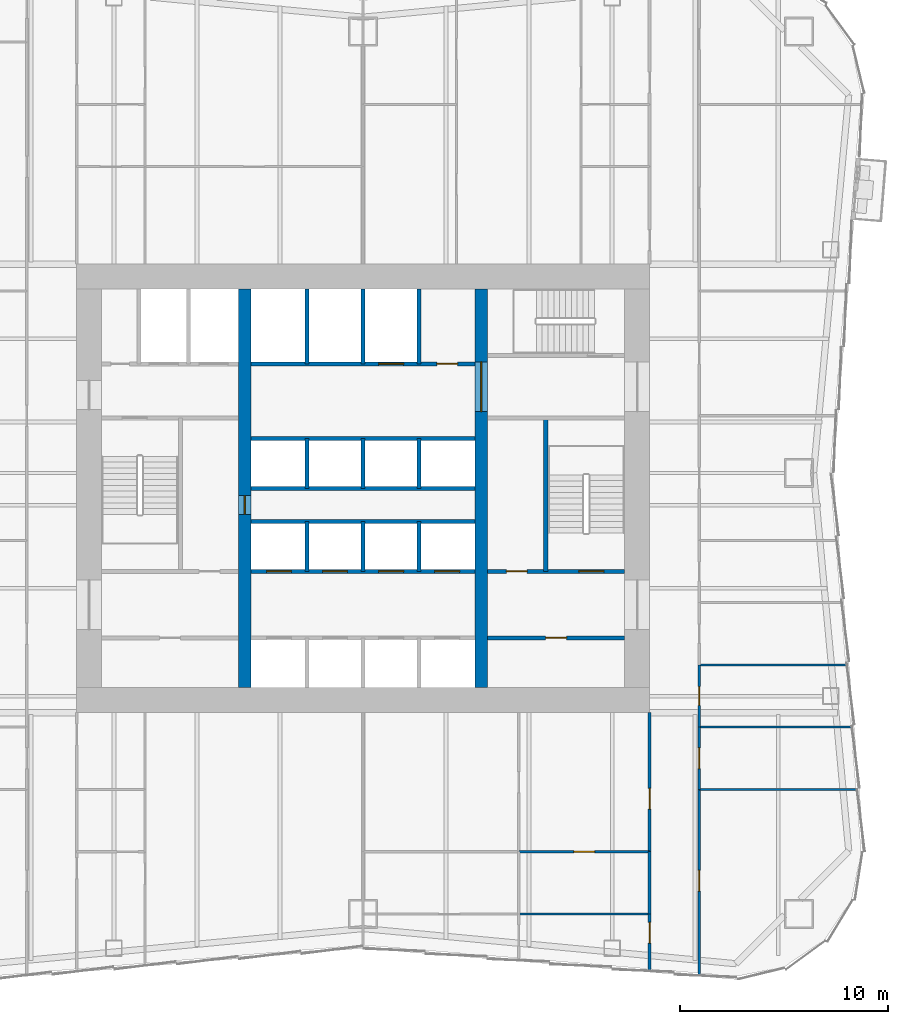
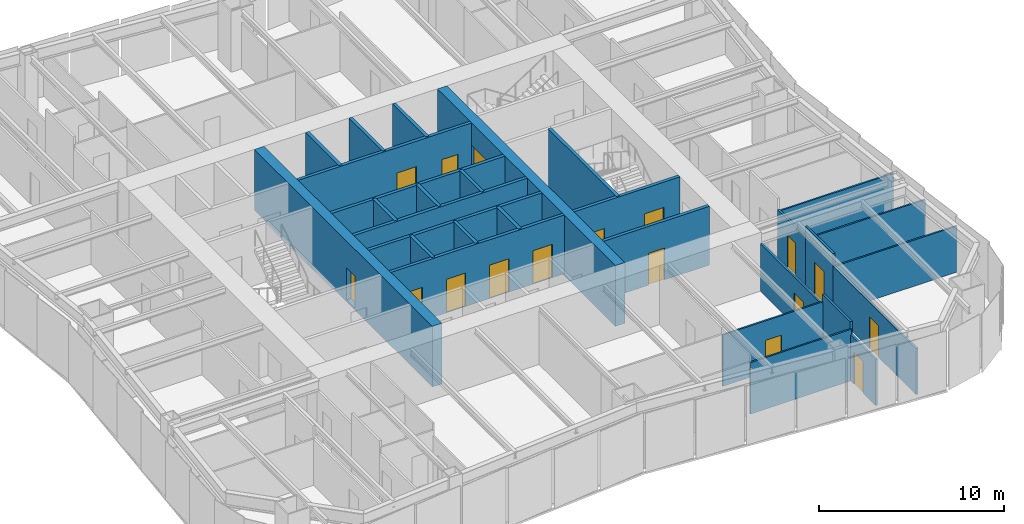
# One storey, part 5 of 9: 30 walls, 17 doors, 17 openings.
"""IFC4 building model written with IfcOpenShell, lengths in metres."""

from ifc_helpers import new_model, si_unit, direction, frame, frame_2d, origin, place, context, subcontext, project, spatial, rectangle, extrude, material, layer, layer_set, type_object, element, fill, save


model = new_model("IFC4")

# Units and contexts
model_context = context("Model", 3, precision=1e-05, world=origin(), true_north=direction((0.0, 1.0)))
body_context = subcontext(model_context, "Body", "Model", "MODEL_VIEW")
ifc_project = project(units=[si_unit("LENGTHUNIT", "METRE"), si_unit("AREAUNIT", "SQUARE_METRE"), si_unit("VOLUMEUNIT", "CUBIC_METRE"), si_unit("PLANEANGLEUNIT", "RADIAN"), si_unit("MASSUNIT", "GRAM", prefix="KILO")], contexts=[model_context])

# Site, building, storey
site_placement = place(None, origin())
site = spatial("IfcSite", under=ifc_project, at=site_placement, CompositionType="ELEMENT")
building_placement = place(site_placement, origin())
building = spatial("IfcBuilding", under=site, at=building_placement, Name="Verdant Reach Tower", CompositionType="ELEMENT")
storey_placement = place(building_placement, frame((0.0, 0.0, 86.0)))
storey = spatial("IfcBuildingStorey", under=building, at=storey_placement, Name="L19", CompositionType="ELEMENT", Elevation=86.0)

# Wall, opening, door
ifc_material_1 = material(Name="Gypsum board on steel studs", Category="steel")
ifc_layer_1 = layer(ifc_material_1, 0.199951171875)
ifc_layer_set_1 = layer_set([ifc_layer_1], Name="CO-WALL-ROOM")
wall_type_1 = type_object("IfcWallType", Name="CO-WALL-ROOM", PredefinedType="PARTITIONING", material=ifc_layer_set_1)
wall_1_placement = place(storey_placement, frame((6.0, 20.800048828125, 0.0), z_axis=(0.0, 0.0, 1.0), x_axis=(1.0, 0.0, 0.0)))
wall_1 = element("IfcWall", 1, at=wall_1_placement, inside=storey, type_object=wall_type_1, Name="Core partition, L19", PredefinedType="PARTITIONING", context=body_context, shape_type="SweptSolid", body=[
    extrude(rectangle(XDim=6.60009765625, YDim=0.199951171875, at=frame_2d((3.300048828125, 0.0))), origin(), (0.0, 0.0, 1.0), 3.8701171875),
])
opening_1_placement = place(wall_1_placement, frame((2.800048828125, 0.0, 0.0)))
opening_1 = element("IfcOpeningElement", 2, at=opening_1_placement, cuts=wall_1, Name="Opening CD", PredefinedType="OPENING", context=body_context, shape_type="SweptSolid", body=[
    extrude(rectangle(XDim=1.0, YDim=2.10009765625, at=frame_2d((0.5, 1.050048828125))), frame((0.0, 0.10986328125, 0.0), z_axis=(0.0, -1.0, 0.0), x_axis=(1.0, 0.0, 0.0)), (0.0, 0.0, 1.0), 0.219970703125),
])
ifc_material_2 = material(Name="Timber", Category="wood")
door_type_1 = type_object("IfcDoorType", Name="CO-DOOR-ROOM", OperationType="NOTDEFINED", PredefinedType="DOOR", material=ifc_material_2)
door_1_placement = place(opening_1_placement, origin())
door_1 = element("IfcDoor", 3, at=door_1_placement, inside=storey, type_object=door_type_1, Name="Core room door, L19", OperationType="SINGLE_SWING_RIGHT", OverallHeight=2.10009765625, OverallWidth=1.0, PredefinedType="DOOR", context=body_context, shape_type="SweptSolid", body=[
    extrude(rectangle(XDim=1.0, YDim=2.10009765625, at=frame_2d((0.5, 1.050048828125))), frame((0.0, 0.02490234375, 0.0), z_axis=(0.0, -1.0, 0.0), x_axis=(1.0, 0.0, 0.0)), (0.0, 0.0, 1.0), 0.050048828125),
])
fill(opening_1, door_1)

# Wall, openings, doors
ifc_material_3 = material(Name="Concrete C40/50", Category="concrete")
ifc_layer_2 = layer(ifc_material_3, 0.199951171875)
ifc_layer_set_2 = layer_set([ifc_layer_2], Name="CO-WALL-SHAFT")
wall_type_2 = type_object("IfcWallType", Name="CO-WALL-SHAFT", PredefinedType="PARTITIONING", material=ifc_layer_set_2)
wall_2_placement = place(storey_placement, frame((-5.39990234375, 24.0, 0.0), z_axis=(0.0, 0.0, 1.0), x_axis=(1.0, 0.0, 0.0)))
wall_2 = element("IfcWall", 4, at=wall_2_placement, inside=storey, type_object=wall_type_2, Name="Lift shaft wall, L19", PredefinedType="PARTITIONING", context=body_context, shape_type="SweptSolid", body=[
    extrude(rectangle(XDim=10.7998046875, YDim=0.199951171875, at=frame_2d((5.39990234375, 0.0))), origin(), (0.0, 0.0, 1.0), 3.8701171875),
])
opening_2_placement = place(wall_2_placement, frame((0.75, 0.0, 0.0)))
opening_2 = element("IfcOpeningElement", 5, at=opening_2_placement, cuts=wall_2, Name="Opening LD-A5", PredefinedType="OPENING", context=body_context, shape_type="SweptSolid", body=[
    extrude(rectangle(XDim=1.199951171875, YDim=2.199951171875, at=frame_2d((0.60009765625, 1.10009765625))), frame((0.0, 0.10986328125, 0.0), z_axis=(0.0, -1.0, 0.0), x_axis=(1.0, 0.0, 0.0)), (0.0, 0.0, 1.0), 0.219970703125),
])
opening_3_placement = place(wall_2_placement, frame((3.449951171875, 0.0, 0.0)))
opening_3 = element("IfcOpeningElement", 6, at=opening_3_placement, cuts=wall_2, Name="Opening LD-A6", PredefinedType="OPENING", context=body_context, shape_type="SweptSolid", body=[
    extrude(rectangle(XDim=1.199951171875, YDim=2.199951171875, at=frame_2d((0.60009765625, 1.10009765625))), frame((0.0, 0.10986328125, 0.0), z_axis=(0.0, -1.0, 0.0), x_axis=(1.0, 0.0, 0.0)), (0.0, 0.0, 1.0), 0.219970703125),
])
opening_4_placement = place(wall_2_placement, frame((6.14990234375, 0.0, 0.0)))
opening_4 = element("IfcOpeningElement", 7, at=opening_4_placement, cuts=wall_2, Name="Opening LD-A7", PredefinedType="OPENING", context=body_context, shape_type="SweptSolid", body=[
    extrude(rectangle(XDim=1.199951171875, YDim=2.199951171875, at=frame_2d((0.60009765625, 1.10009765625))), frame((0.0, 0.10986328125, 0.0), z_axis=(0.0, -1.0, 0.0), x_axis=(1.0, 0.0, 0.0)), (0.0, 0.0, 1.0), 0.219970703125),
])
opening_5_placement = place(wall_2_placement, frame((8.85009765625, 0.0, 0.0)))
opening_5 = element("IfcOpeningElement", 8, at=opening_5_placement, cuts=wall_2, Name="Opening LD-A8", PredefinedType="OPENING", context=body_context, shape_type="SweptSolid", body=[
    extrude(rectangle(XDim=1.199951171875, YDim=2.199951171875, at=frame_2d((0.60009765625, 1.10009765625))), frame((0.0, 0.10986328125, 0.0), z_axis=(0.0, -1.0, 0.0), x_axis=(1.0, 0.0, 0.0)), (0.0, 0.0, 1.0), 0.219970703125),
])
ifc_material_4 = material(Name="Stainless steel", Category="steel")
door_type_2 = type_object("IfcDoorType", Name="CO-DOOR-LANDING", OperationType="SLIDING_TO_LEFT", PredefinedType="DOOR", material=ifc_material_4)
door_2_placement = place(opening_2_placement, origin())
door_2 = element("IfcDoor", 9, at=door_2_placement, inside=storey, type_object=door_type_2, Name="Landing door A5, L19", OperationType="SLIDING_TO_LEFT", OverallHeight=2.199951171875, OverallWidth=1.199951171875, PredefinedType="DOOR", context=body_context, shape_type="SweptSolid", body=[
    extrude(rectangle(XDim=1.199951171875, YDim=2.199951171875, at=frame_2d((0.60009765625, 1.10009765625))), frame((0.0, 0.02490234375, 0.0), z_axis=(0.0, -1.0, 0.0), x_axis=(1.0, 0.0, 0.0)), (0.0, 0.0, 1.0), 0.050048828125),
])
fill(opening_2, door_2)
door_3_placement = place(opening_3_placement, origin())
door_3 = element("IfcDoor", 10, at=door_3_placement, inside=storey, type_object=door_type_2, Name="Landing door A6, L19", OperationType="SLIDING_TO_LEFT", OverallHeight=2.199951171875, OverallWidth=1.199951171875, PredefinedType="DOOR", context=body_context, shape_type="SweptSolid", body=[
    extrude(rectangle(XDim=1.199951171875, YDim=2.199951171875, at=frame_2d((0.60009765625, 1.10009765625))), frame((0.0, 0.02490234375, 0.0), z_axis=(0.0, -1.0, 0.0), x_axis=(1.0, 0.0, 0.0)), (0.0, 0.0, 1.0), 0.050048828125),
])
fill(opening_3, door_3)
door_4_placement = place(opening_4_placement, origin())
door_4 = element("IfcDoor", 11, at=door_4_placement, inside=storey, type_object=door_type_2, Name="Landing door A7, L19", OperationType="SLIDING_TO_LEFT", OverallHeight=2.199951171875, OverallWidth=1.199951171875, PredefinedType="DOOR", context=body_context, shape_type="SweptSolid", body=[
    extrude(rectangle(XDim=1.199951171875, YDim=2.199951171875, at=frame_2d((0.60009765625, 1.10009765625))), frame((0.0, 0.02490234375, 0.0), z_axis=(0.0, -1.0, 0.0), x_axis=(1.0, 0.0, 0.0)), (0.0, 0.0, 1.0), 0.050048828125),
])
fill(opening_4, door_4)
door_5_placement = place(opening_5_placement, origin())
door_5 = element("IfcDoor", 12, at=door_5_placement, inside=storey, type_object=door_type_2, Name="Landing door A8, L19", OperationType="SLIDING_TO_LEFT", OverallHeight=2.199951171875, OverallWidth=1.199951171875, PredefinedType="DOOR", context=body_context, shape_type="SweptSolid", body=[
    extrude(rectangle(XDim=1.199951171875, YDim=2.199951171875, at=frame_2d((0.60009765625, 1.10009765625))), frame((0.0, 0.02490234375, 0.0), z_axis=(0.0, -1.0, 0.0), x_axis=(1.0, 0.0, 0.0)), (0.0, 0.0, 1.0), 0.050048828125),
])
fill(opening_5, door_5)

# Walls
for number, where, z_axis, x_axis, name in (
    (13, (-5.39990234375, 26.39990234375, 0.0), (0.0, 0.0, 1.0), (1.0, 0.0, 0.0), "Lift shaft wall, L19"),
    (14, (-5.39990234375, 28.0, 0.0), (0.0, 0.0, 1.0), (1.0, 0.0, 0.0), "Lift shaft wall, L19"),
    (15, (-5.39990234375, 30.39990234375, 0.0), (0.0, 0.0, 1.0), (1.0, 0.0, 0.0), "Lift shaft wall, L19"),
):
    element("IfcWall", number, at=place(storey_placement, frame(where, z_axis=z_axis, x_axis=x_axis)), inside=storey, type_object=wall_type_2, Name=name, PredefinedType="PARTITIONING", context=body_context, shape_type="SweptSolid", body=[
        extrude(rectangle(XDim=10.7998046875, YDim=0.199951171875, at=frame_2d((5.39990234375, 0.0))), origin(), (0.0, 0.0, 1.0), 3.8701171875),
    ])

# Wall, openings, doors
wall_3_placement = place(storey_placement, frame((-5.39990234375, 34.0, 0.0), z_axis=(0.0, 0.0, 1.0), x_axis=(1.0, 0.0, 0.0)))
wall_3 = element("IfcWall", 16, at=wall_3_placement, inside=storey, type_object=wall_type_2, Name="Lift shaft wall, L19", PredefinedType="PARTITIONING", context=body_context, shape_type="SweptSolid", body=[
    extrude(rectangle(XDim=10.7998046875, YDim=0.199951171875, at=frame_2d((5.39990234375, 0.0))), origin(), (0.0, 0.0, 1.0), 3.8701171875),
])
opening_6_placement = place(wall_3_placement, frame((6.14990234375, 0.0, 0.0)))
opening_6 = element("IfcOpeningElement", 17, at=opening_6_placement, cuts=wall_3, Name="Opening LD-SL1", PredefinedType="OPENING", context=body_context, shape_type="SweptSolid", body=[
    extrude(rectangle(XDim=1.199951171875, YDim=2.199951171875, at=frame_2d((0.60009765625, 1.10009765625))), frame((0.0, 0.10986328125, 0.0), z_axis=(0.0, -1.0, 0.0), x_axis=(1.0, 0.0, 0.0)), (0.0, 0.0, 1.0), 0.219970703125),
])
opening_7_placement = place(wall_3_placement, frame((8.949951171875, 0.0, 0.0)))
opening_7 = element("IfcOpeningElement", 18, at=opening_7_placement, cuts=wall_3, Name="Opening CD", PredefinedType="OPENING", context=body_context, shape_type="SweptSolid", body=[
    extrude(rectangle(XDim=1.0, YDim=2.10009765625, at=frame_2d((0.5, 1.050048828125))), frame((0.0, 0.10986328125, 0.0), z_axis=(0.0, -1.0, 0.0), x_axis=(1.0, 0.0, 0.0)), (0.0, 0.0, 1.0), 0.219970703125),
])
door_6_placement = place(opening_6_placement, origin())
door_6 = element("IfcDoor", 19, at=door_6_placement, inside=storey, type_object=door_type_2, Name="Landing door SL1, L19", OperationType="SLIDING_TO_LEFT", OverallHeight=2.199951171875, OverallWidth=1.199951171875, PredefinedType="DOOR", context=body_context, shape_type="SweptSolid", body=[
    extrude(rectangle(XDim=1.199951171875, YDim=2.199951171875, at=frame_2d((0.60009765625, 1.10009765625))), frame((0.0, 0.02490234375, 0.0), z_axis=(0.0, -1.0, 0.0), x_axis=(1.0, 0.0, 0.0)), (0.0, 0.0, 1.0), 0.050048828125),
])
fill(opening_6, door_6)
door_7_placement = place(opening_7_placement, origin())
door_7 = element("IfcDoor", 20, at=door_7_placement, inside=storey, type_object=door_type_1, Name="Core room door, L19", OperationType="SINGLE_SWING_LEFT", OverallHeight=2.10009765625, OverallWidth=1.0, PredefinedType="DOOR", context=body_context, shape_type="SweptSolid", body=[
    extrude(rectangle(XDim=1.0, YDim=2.10009765625, at=frame_2d((0.5, 1.050048828125))), frame((0.0, 0.02490234375, 0.0), z_axis=(0.0, -1.0, 0.0), x_axis=(1.0, 0.0, 0.0)), (0.0, 0.0, 1.0), 0.050048828125),
])
fill(opening_7, door_7)

# Walls
for number, where, z_axis, x_axis, name in (
    (21, (-2.699951171875, 24.0, 0.0), (0.0, 0.0, 1.0), (0.0, 1.0, 0.0), "Lift shaft wall, L19"),
    (22, (-2.699951171875, 28.0, 0.0), (0.0, 0.0, 1.0), (0.0, 1.0, 0.0), "Lift shaft wall, L19"),
):
    element("IfcWall", number, at=place(storey_placement, frame(where, z_axis=z_axis, x_axis=x_axis)), inside=storey, type_object=wall_type_2, Name=name, PredefinedType="PARTITIONING", context=body_context, shape_type="SweptSolid", body=[
        extrude(rectangle(XDim=2.39990234375, YDim=0.199951171875, at=frame_2d((1.199951171875, 0.0))), origin(), (0.0, 0.0, 1.0), 3.8701171875),
    ])
wall_4_placement = place(storey_placement, frame((-2.699951171875, 34.0, 0.0), z_axis=(0.0, 0.0, 1.0), x_axis=(0.0, 1.0, 0.0)))
element("IfcWall", 23, at=wall_4_placement, inside=storey, type_object=wall_type_2, Name="Lift shaft wall, L19", PredefinedType="PARTITIONING", context=body_context, shape_type="SweptSolid", body=[
    extrude(rectangle(XDim=3.60009765625, YDim=0.199951171875, at=frame_2d((1.800048828125, 0.0))), origin(), (0.0, 0.0, 1.0), 3.8701171875),
])
for number, where, z_axis, x_axis, name in (
    (24, (0.0, 24.0, 0.0), (0.0, 0.0, 1.0), (0.0, 1.0, 0.0), "Lift shaft wall, L19"),
    (25, (0.0, 28.0, 0.0), (0.0, 0.0, 1.0), (0.0, 1.0, 0.0), "Lift shaft wall, L19"),
):
    element("IfcWall", number, at=place(storey_placement, frame(where, z_axis=z_axis, x_axis=x_axis)), inside=storey, type_object=wall_type_2, Name=name, PredefinedType="PARTITIONING", context=body_context, shape_type="SweptSolid", body=[
        extrude(rectangle(XDim=2.39990234375, YDim=0.199951171875, at=frame_2d((1.199951171875, 0.0))), origin(), (0.0, 0.0, 1.0), 3.8701171875),
    ])
wall_5_placement = place(storey_placement, frame((0.0, 34.0, 0.0), z_axis=(0.0, 0.0, 1.0), x_axis=(0.0, 1.0, 0.0)))
element("IfcWall", 26, at=wall_5_placement, inside=storey, type_object=wall_type_2, Name="Lift shaft wall, L19", PredefinedType="PARTITIONING", context=body_context, shape_type="SweptSolid", body=[
    extrude(rectangle(XDim=3.60009765625, YDim=0.199951171875, at=frame_2d((1.800048828125, 0.0))), origin(), (0.0, 0.0, 1.0), 3.8701171875),
])
for number, where, z_axis, x_axis, name in (
    (27, (2.699951171875, 24.0, 0.0), (0.0, 0.0, 1.0), (0.0, 1.0, 0.0), "Lift shaft wall, L19"),
    (28, (2.699951171875, 28.0, 0.0), (0.0, 0.0, 1.0), (0.0, 1.0, 0.0), "Lift shaft wall, L19"),
):
    element("IfcWall", number, at=place(storey_placement, frame(where, z_axis=z_axis, x_axis=x_axis)), inside=storey, type_object=wall_type_2, Name=name, PredefinedType="PARTITIONING", context=body_context, shape_type="SweptSolid", body=[
        extrude(rectangle(XDim=2.39990234375, YDim=0.199951171875, at=frame_2d((1.199951171875, 0.0))), origin(), (0.0, 0.0, 1.0), 3.8701171875),
    ])
wall_6_placement = place(storey_placement, frame((2.699951171875, 34.0, 0.0), z_axis=(0.0, 0.0, 1.0), x_axis=(0.0, 1.0, 0.0)))
element("IfcWall", 29, at=wall_6_placement, inside=storey, type_object=wall_type_2, Name="Lift shaft wall, L19", PredefinedType="PARTITIONING", context=body_context, shape_type="SweptSolid", body=[
    extrude(rectangle(XDim=3.60009765625, YDim=0.199951171875, at=frame_2d((1.800048828125, 0.0))), origin(), (0.0, 0.0, 1.0), 3.8701171875),
])

# Wall, openings, doors
ifc_layer_3 = layer(ifc_material_3, 0.199951171875)
ifc_layer_set_3 = layer_set([ifc_layer_3], Name="CO-WALL-STAIR")
wall_type_3 = type_object("IfcWallType", Name="CO-WALL-STAIR", PredefinedType="PARTITIONING", material=ifc_layer_set_3)
wall_7_placement = place(storey_placement, frame((6.0, 24.0, 0.0), z_axis=(0.0, 0.0, 1.0), x_axis=(1.0, 0.0, 0.0)))
wall_7 = element("IfcWall", 30, at=wall_7_placement, inside=storey, type_object=wall_type_3, Name="Stair enclosure wall, L19", PredefinedType="PARTITIONING", context=body_context, shape_type="SweptSolid", body=[
    extrude(rectangle(XDim=6.60009765625, YDim=0.199951171875, at=frame_2d((3.300048828125, 0.0))), origin(), (0.0, 0.0, 1.0), 3.8701171875),
])
opening_8_placement = place(wall_7_placement, frame((0.89990234375, 0.0, 0.0)))
opening_8 = element("IfcOpeningElement", 31, at=opening_8_placement, cuts=wall_7, Name="Opening CD", PredefinedType="OPENING", context=body_context, shape_type="SweptSolid", body=[
    extrude(rectangle(XDim=1.0, YDim=2.10009765625, at=frame_2d((0.5, 1.050048828125))), frame((0.0, 0.10986328125, 0.0), z_axis=(0.0, -1.0, 0.0), x_axis=(1.0, 0.0, 0.0)), (0.0, 0.0, 1.0), 0.219970703125),
])
opening_9_placement = place(wall_7_placement, frame((4.39990234375, 0.0, 0.0)))
opening_9 = element("IfcOpeningElement", 32, at=opening_9_placement, cuts=wall_7, Name="Opening SD", PredefinedType="OPENING", context=body_context, shape_type="SweptSolid", body=[
    extrude(rectangle(XDim=1.199951171875, YDim=2.199951171875, at=frame_2d((0.60009765625, 1.10009765625))), frame((0.0, 0.10986328125, 0.0), z_axis=(0.0, -1.0, 0.0), x_axis=(1.0, 0.0, 0.0)), (0.0, 0.0, 1.0), 0.219970703125),
])
door_8_placement = place(opening_8_placement, origin())
door_8 = element("IfcDoor", 33, at=door_8_placement, inside=storey, type_object=door_type_1, Name="Core room door, L19", OperationType="SINGLE_SWING_LEFT", OverallHeight=2.10009765625, OverallWidth=1.0, PredefinedType="DOOR", context=body_context, shape_type="SweptSolid", body=[
    extrude(rectangle(XDim=1.0, YDim=2.10009765625, at=frame_2d((0.5, 1.050048828125))), frame((0.0, 0.02490234375, 0.0), z_axis=(0.0, -1.0, 0.0), x_axis=(1.0, 0.0, 0.0)), (0.0, 0.0, 1.0), 0.050048828125),
])
fill(opening_8, door_8)
ifc_material_5 = material(Name="Steel", Category="steel")
door_type_3 = type_object("IfcDoorType", Name="CO-DOOR-STAIR", OperationType="NOTDEFINED", PredefinedType="DOOR", material=ifc_material_5)
door_9_placement = place(opening_9_placement, origin())
door_9 = element("IfcDoor", 34, at=door_9_placement, inside=storey, type_object=door_type_3, Name="Stair door, L19", OperationType="SINGLE_SWING_LEFT", OverallHeight=2.199951171875, OverallWidth=1.199951171875, PredefinedType="DOOR", context=body_context, shape_type="SweptSolid", body=[
    extrude(rectangle(XDim=1.199951171875, YDim=2.199951171875, at=frame_2d((0.60009765625, 1.10009765625))), frame((0.0, 0.02490234375, 0.0), z_axis=(0.0, -1.0, 0.0), x_axis=(1.0, 0.0, 0.0)), (0.0, 0.0, 1.0), 0.050048828125),
])
fill(opening_9, door_9)

# Walls
wall_8_placement = place(storey_placement, frame((8.800048828125, 24.0, 0.0), z_axis=(0.0, 0.0, 1.0), x_axis=(0.0, 1.0, 0.0)))
element("IfcWall", 35, at=wall_8_placement, inside=storey, type_object=wall_type_3, Name="Stair enclosure wall, L19", PredefinedType="PARTITIONING", context=body_context, shape_type="SweptSolid", body=[
    extrude(rectangle(XDim=7.39990234375, YDim=0.199951171875, at=frame_2d((3.699951171875, 0.0))), origin(), (0.0, 0.0, 1.0), 3.8701171875),
])
ifc_layer_4 = layer(ifc_material_1, 0.10009765625)
ifc_layer_set_4 = layer_set([ifc_layer_4], Name="FL-W1 Partition 100")
wall_type_4 = type_object("IfcWallType", Name="FL-W1 Partition 100", PredefinedType="PARTITIONING", material=ifc_layer_set_4)
wall_9_placement = place(storey_placement, frame((23.83349609375, 13.5, 0.0), z_axis=(0.0, 0.0, 1.0), x_axis=(-1.0, 0.0, 0.0)))
element("IfcWall", 36, at=wall_9_placement, inside=storey, type_object=wall_type_4, Name="Partition 19.33", PredefinedType="PARTITIONING", context=body_context, shape_type="SweptSolid", body=[
    extrude(rectangle(XDim=7.633544921875, YDim=0.10009765625, at=frame_2d((3.81689453125, 0.0))), origin(), (0.0, 0.0, 1.0), 3.0400390625),
])
wall_10_placement = place(storey_placement, frame((23.5869140625, 16.5, 0.0), z_axis=(0.0, 0.0, 1.0), x_axis=(-1.0, 0.0, 0.0)))
element("IfcWall", 37, at=wall_10_placement, inside=storey, type_object=wall_type_4, Name="Partition 19.34", PredefinedType="PARTITIONING", context=body_context, shape_type="SweptSolid", body=[
    extrude(rectangle(XDim=7.386962890625, YDim=0.10009765625, at=frame_2d((3.693359375, 0.0))), origin(), (0.0, 0.0, 1.0), 3.0400390625),
])
wall_11_placement = place(storey_placement, frame((23.34033203125, 19.5, 0.0), z_axis=(0.0, 0.0, 1.0), x_axis=(-1.0, 0.0, 0.0)))
element("IfcWall", 38, at=wall_11_placement, inside=storey, type_object=wall_type_4, Name="Partition 19.35", PredefinedType="PARTITIONING", context=body_context, shape_type="SweptSolid", body=[
    extrude(rectangle(XDim=7.140380859375, YDim=0.10009765625, at=frame_2d((3.5703125, 0.0))), origin(), (0.0, 0.0, 1.0), 3.0400390625),
])
wall_12_placement = place(storey_placement, frame((13.800048828125, 7.5, 0.0), z_axis=(0.0, 0.0, 1.0), x_axis=(-1.0, 0.0, 0.0)))
element("IfcWall", 39, at=wall_12_placement, inside=storey, type_object=wall_type_4, Name="Partition 19.49", PredefinedType="PARTITIONING", context=body_context, shape_type="SweptSolid", body=[
    extrude(rectangle(XDim=6.300048828125, YDim=0.10009765625, at=frame_2d((3.14990234375, 0.0))), origin(), (0.0, 0.0, 1.0), 3.389892578125),
])

# Wall, opening, door
wall_13_placement = place(storey_placement, frame((13.800048828125, 10.5, 0.0), z_axis=(0.0, 0.0, 1.0), x_axis=(-1.0, 0.0, 0.0)))
wall_13 = element("IfcWall", 40, at=wall_13_placement, inside=storey, type_object=wall_type_4, Name="Partition 19.51", PredefinedType="PARTITIONING", context=body_context, shape_type="SweptSolid", body=[
    extrude(rectangle(XDim=6.300048828125, YDim=0.10009765625, at=frame_2d((3.14990234375, 0.0))), origin(), (0.0, 0.0, 1.0), 3.389892578125),
])
opening_10_placement = place(wall_13_placement, frame((2.64990234375, 0.0, 0.0)))
opening_10 = element("IfcOpeningElement", 41, at=opening_10_placement, cuts=wall_13, Name="Opening D3", PredefinedType="OPENING", context=body_context, shape_type="SweptSolid", body=[
    extrude(rectangle(XDim=1.0, YDim=2.10009765625, at=frame_2d((0.5, 1.050048828125))), frame((0.0, 0.06005859375, 0.0), z_axis=(0.0, -1.0, 0.0), x_axis=(1.0, 0.0, 0.0)), (0.0, 0.0, 1.0), 0.1201171875),
])
ifc_material_6 = material(Name="Painted timber door leaf", Category="wood")
door_type_4 = type_object("IfcDoorType", Name="FL-D3 Door 1000x2100", OperationType="NOTDEFINED", PredefinedType="DOOR", material=ifc_material_6)
door_10_placement = place(opening_10_placement, origin())
door_10 = element("IfcDoor", 42, at=door_10_placement, inside=storey, type_object=door_type_4, Name="Door 19-026", OperationType="SINGLE_SWING_RIGHT", OverallHeight=2.10009765625, OverallWidth=1.0, PredefinedType="DOOR", context=body_context, shape_type="SweptSolid", body=[
    extrude(rectangle(XDim=1.0, YDim=2.10009765625, at=frame_2d((0.5, 1.050048828125))), frame((0.0, 0.02490234375, 0.0), z_axis=(0.0, -1.0, 0.0), x_axis=(1.0, 0.0, 0.0)), (0.0, 0.0, 1.0), 0.050048828125),
])
fill(opening_10, door_10)

ifc_material_7 = material(Name="Gypsum board on steel studs, fire rated", Category="steel")
ifc_layer_5 = layer(ifc_material_7, 0.125)
ifc_layer_set_5 = layer_set([ifc_layer_5], Name="FL-W2 Corridor wall 125")
wall_type_5 = type_object("IfcWallType", Name="FL-W2 Corridor wall 125", PredefinedType="PARTITIONING", material=ifc_layer_set_5)
wall_14_placement = place(storey_placement, frame((16.199951171875, 13.5, 0.0), z_axis=(0.0, 0.0, 1.0), x_axis=(0.0, -1.0, 0.0)))
wall_14 = element("IfcWall", 43, at=wall_14_placement, inside=storey, type_object=wall_type_5, Name="Partition 19.13", PredefinedType="PARTITIONING", context=body_context, shape_type="SweptSolid", body=[
    extrude(rectangle(XDim=8.929931640625, YDim=0.125, at=frame_2d((4.46484375, 0.0))), origin(), (0.0, 0.0, 1.0), 3.0400390625),
])
opening_11_placement = place(wall_14_placement, frame((3.89990234375, 0.0, 0.0)))
opening_11 = element("IfcOpeningElement", 44, at=opening_11_placement, cuts=wall_14, Name="Opening D2", PredefinedType="OPENING", context=body_context, shape_type="SweptSolid", body=[
    extrude(rectangle(XDim=1.0, YDim=2.10009765625, at=frame_2d((0.5, 1.050048828125))), frame((0.0, 0.072509765625, 0.0), z_axis=(0.0, -1.0, 0.0), x_axis=(1.0, 0.0, 0.0)), (0.0, 0.0, 1.0), 0.14501953125),
])
ifc_material_8 = material(Name="Timber door leaf, fire rated", Category="wood")
door_type_5 = type_object("IfcDoorType", Name="FL-D2 Entrance door 1000x2100 FD30", OperationType="NOTDEFINED", PredefinedType="DOOR", material=ifc_material_8)
door_11_placement = place(opening_11_placement, origin())
door_11 = element("IfcDoor", 45, at=door_11_placement, inside=storey, type_object=door_type_5, Name="Door 19-010", OperationType="SINGLE_SWING_LEFT", OverallHeight=2.10009765625, OverallWidth=1.0, PredefinedType="DOOR", context=body_context, shape_type="SweptSolid", body=[
    extrude(rectangle(XDim=1.0, YDim=2.10009765625, at=frame_2d((0.5, 1.050048828125))), frame((0.0, 0.02490234375, 0.0), z_axis=(0.0, -1.0, 0.0), x_axis=(1.0, 0.0, 0.0)), (0.0, 0.0, 1.0), 0.050048828125),
])
fill(opening_11, door_11)

wall_15_placement = place(storey_placement, frame((16.199951171875, 16.5, 0.0), z_axis=(0.0, 0.0, 1.0), x_axis=(0.0, -1.0, 0.0)))
wall_15 = element("IfcWall", 46, at=wall_15_placement, inside=storey, type_object=wall_type_5, Name="Partition 19.14", PredefinedType="PARTITIONING", context=body_context, shape_type="SweptSolid", body=[
    extrude(rectangle(XDim=3.0, YDim=0.125, at=frame_2d((1.5, 0.0))), origin(), (0.0, 0.0, 1.0), 3.8701171875),
])
opening_12_placement = place(wall_15_placement, frame((1.0, 0.0, 0.0)))
opening_12 = element("IfcOpeningElement", 47, at=opening_12_placement, cuts=wall_15, Name="Opening D2", PredefinedType="OPENING", context=body_context, shape_type="SweptSolid", body=[
    extrude(rectangle(XDim=1.0, YDim=2.10009765625, at=frame_2d((0.5, 1.050048828125))), frame((0.0, 0.072509765625, 0.0), z_axis=(0.0, -1.0, 0.0), x_axis=(1.0, 0.0, 0.0)), (0.0, 0.0, 1.0), 0.14501953125),
])
door_12_placement = place(opening_12_placement, origin())
door_12 = element("IfcDoor", 48, at=door_12_placement, inside=storey, type_object=door_type_5, Name="Door 19-011", OperationType="SINGLE_SWING_LEFT", OverallHeight=2.10009765625, OverallWidth=1.0, PredefinedType="DOOR", context=body_context, shape_type="SweptSolid", body=[
    extrude(rectangle(XDim=1.0, YDim=2.10009765625, at=frame_2d((0.5, 1.050048828125))), frame((0.0, 0.02490234375, 0.0), z_axis=(0.0, -1.0, 0.0), x_axis=(1.0, 0.0, 0.0)), (0.0, 0.0, 1.0), 0.050048828125),
])
fill(opening_12, door_12)

wall_16_placement = place(storey_placement, frame((16.199951171875, 19.5, 0.0), z_axis=(0.0, 0.0, 1.0), x_axis=(0.0, -1.0, 0.0)))
wall_16 = element("IfcWall", 49, at=wall_16_placement, inside=storey, type_object=wall_type_5, Name="Partition 19.15", PredefinedType="PARTITIONING", context=body_context, shape_type="SweptSolid", body=[
    extrude(rectangle(XDim=3.0, YDim=0.125, at=frame_2d((1.5, 0.0))), origin(), (0.0, 0.0, 1.0), 3.139892578125),
])
opening_13_placement = place(wall_16_placement, frame((1.050048828125, 0.0, 0.0)))
opening_13 = element("IfcOpeningElement", 50, at=opening_13_placement, cuts=wall_16, Name="Opening D1", PredefinedType="OPENING", context=body_context, shape_type="SweptSolid", body=[
    extrude(rectangle(XDim=0.89990234375, YDim=2.10009765625, at=frame_2d((0.449951171875, 1.050048828125))), frame((0.0, 0.072509765625, 0.0), z_axis=(0.0, -1.0, 0.0), x_axis=(1.0, 0.0, 0.0)), (0.0, 0.0, 1.0), 0.14501953125),
])
door_type_6 = type_object("IfcDoorType", Name="FL-D1 Door 900x2100", OperationType="NOTDEFINED", PredefinedType="DOOR", material=ifc_material_6)
door_13_placement = place(opening_13_placement, origin())
door_13 = element("IfcDoor", 51, at=door_13_placement, inside=storey, type_object=door_type_6, Name="Door 19-012", OperationType="SINGLE_SWING_RIGHT", OverallHeight=2.10009765625, OverallWidth=0.89990234375, PredefinedType="DOOR", context=body_context, shape_type="SweptSolid", body=[
    extrude(rectangle(XDim=0.89990234375, YDim=2.10009765625, at=frame_2d((0.449951171875, 1.050048828125))), frame((0.0, 0.02490234375, 0.0), z_axis=(0.0, -1.0, 0.0), x_axis=(1.0, 0.0, 0.0)), (0.0, 0.0, 1.0), 0.050048828125),
])
fill(opening_13, door_13)

wall_17_placement = place(storey_placement, frame((13.800048828125, 4.77001953125, 0.0), z_axis=(0.0, 0.0, 1.0), x_axis=(0.0, 1.0, 0.0)))
wall_17 = element("IfcWall", 52, at=wall_17_placement, inside=storey, type_object=wall_type_5, Name="Partition 19.22", PredefinedType="PARTITIONING", context=body_context, shape_type="SweptSolid", body=[
    extrude(rectangle(XDim=2.72998046875, YDim=0.125, at=frame_2d((1.364990234375, 0.0))), origin(), (0.0, 0.0, 1.0), 3.0400390625),
])
opening_14_placement = place(wall_17_placement, frame((1.330078125, 0.0, 0.0)))
opening_14 = element("IfcOpeningElement", 53, at=opening_14_placement, cuts=wall_17, Name="Opening D2", PredefinedType="OPENING", context=body_context, shape_type="SweptSolid", body=[
    extrude(rectangle(XDim=1.0, YDim=2.10009765625, at=frame_2d((0.5, 1.050048828125))), frame((0.0, 0.072509765625, 0.0), z_axis=(0.0, -1.0, 0.0), x_axis=(1.0, 0.0, 0.0)), (0.0, 0.0, 1.0), 0.14501953125),
])
door_14_placement = place(opening_14_placement, origin())
door_14 = element("IfcDoor", 54, at=door_14_placement, inside=storey, type_object=door_type_5, Name="Door 19-019", OperationType="SINGLE_SWING_RIGHT", OverallHeight=2.10009765625, OverallWidth=1.0, PredefinedType="DOOR", context=body_context, shape_type="SweptSolid", body=[
    extrude(rectangle(XDim=1.0, YDim=2.10009765625, at=frame_2d((0.5, 1.050048828125))), frame((0.0, 0.02490234375, 0.0), z_axis=(0.0, -1.0, 0.0), x_axis=(1.0, 0.0, 0.0)), (0.0, 0.0, 1.0), 0.050048828125),
])
fill(opening_14, door_14)

# Wall
wall_18_placement = place(storey_placement, frame((13.800048828125, 10.5, 0.0), z_axis=(0.0, 0.0, 1.0), x_axis=(0.0, -1.0, 0.0)))
element("IfcWall", 55, at=wall_18_placement, inside=storey, type_object=wall_type_5, Name="Partition 19.23", PredefinedType="PARTITIONING", context=body_context, shape_type="SweptSolid", body=[
    extrude(rectangle(XDim=3.0, YDim=0.125, at=frame_2d((1.5, 0.0))), origin(), (0.0, 0.0, 1.0), 3.8701171875),
])

# Wall, opening, door
wall_19_placement = place(storey_placement, frame((13.800048828125, 10.5, 0.0), z_axis=(0.0, 0.0, 1.0), x_axis=(0.0, 1.0, 0.0)))
wall_19 = element("IfcWall", 56, at=wall_19_placement, inside=storey, type_object=wall_type_5, Name="Partition 19.24", PredefinedType="PARTITIONING", context=body_context, shape_type="SweptSolid", body=[
    extrude(rectangle(XDim=6.699951171875, YDim=0.125, at=frame_2d((3.35009765625, 0.0))), origin(), (0.0, 0.0, 1.0), 3.139892578125),
])
opening_15_placement = place(wall_19_placement, frame((2.050048828125, 0.0, 0.0)))
opening_15 = element("IfcOpeningElement", 57, at=opening_15_placement, cuts=wall_19, Name="Opening D2", PredefinedType="OPENING", context=body_context, shape_type="SweptSolid", body=[
    extrude(rectangle(XDim=1.0, YDim=2.10009765625, at=frame_2d((0.5, 1.050048828125))), frame((0.0, 0.072509765625, 0.0), z_axis=(0.0, -1.0, 0.0), x_axis=(1.0, 0.0, 0.0)), (0.0, 0.0, 1.0), 0.14501953125),
])
door_15_placement = place(opening_15_placement, origin())
door_15 = element("IfcDoor", 58, at=door_15_placement, inside=storey, type_object=door_type_5, Name="Door 19-020", OperationType="SINGLE_SWING_LEFT", OverallHeight=2.10009765625, OverallWidth=1.0, PredefinedType="DOOR", context=body_context, shape_type="SweptSolid", body=[
    extrude(rectangle(XDim=1.0, YDim=2.10009765625, at=frame_2d((0.5, 1.050048828125))), frame((0.0, 0.02490234375, 0.0), z_axis=(0.0, -1.0, 0.0), x_axis=(1.0, 0.0, 0.0)), (0.0, 0.0, 1.0), 0.050048828125),
])
fill(opening_15, door_15)

ifc_material_9 = material(Name="Concrete C70/85", Category="concrete")
ifc_layer_6 = layer(ifc_material_9, 0.60009765625)
ifc_layer_set_6 = layer_set([ifc_layer_6], Name="ST-CORE-WALL-600")
wall_type_6 = type_object("IfcWallType", Name="ST-CORE-WALL-600", PredefinedType="SHEAR", material=ifc_layer_set_6)
wall_20_placement = place(storey_placement, frame((-5.699951171875, 18.39990234375, -0.1298828125), z_axis=(0.0, 0.0, 1.0), x_axis=(0.0, 1.0, 0.0)))
wall_20 = element("IfcWall", 59, at=wall_20_placement, inside=storey, type_object=wall_type_6, Name="Core wall XW, L19", PredefinedType="SHEAR", context=body_context, shape_type="SweptSolid", body=[
    extrude(rectangle(XDim=19.2001953125, YDim=0.60009765625, at=frame_2d((9.60009765625, 0.0))), origin(), (0.0, 0.0, 1.0), 4.0),
])
opening_16_placement = place(wall_20_placement, frame((8.35009765625, 0.0, 0.1298828125)))
opening_16 = element("IfcOpeningElement", 60, at=opening_16_placement, cuts=wall_20, Name="Opening RD", PredefinedType="OPENING", context=body_context, shape_type="SweptSolid", body=[
    extrude(rectangle(XDim=0.89990234375, YDim=2.10009765625, at=frame_2d((0.449951171875, 1.050048828125))), frame((0.0, 0.31005859375, 0.0), z_axis=(0.0, -1.0, 0.0), x_axis=(1.0, 0.0, 0.0)), (0.0, 0.0, 1.0), 0.6201171875),
])
door_type_7 = type_object("IfcDoorType", Name="CO-DOOR-RISER", OperationType="NOTDEFINED", PredefinedType="DOOR", material=ifc_material_5)
door_16_placement = place(opening_16_placement, origin())
door_16 = element("IfcDoor", 61, at=door_16_placement, inside=storey, type_object=door_type_7, Name="Riser door, L19", OperationType="SINGLE_SWING_RIGHT", OverallHeight=2.10009765625, OverallWidth=0.89990234375, PredefinedType="DOOR", context=body_context, shape_type="SweptSolid", body=[
    extrude(rectangle(XDim=0.89990234375, YDim=2.10009765625, at=frame_2d((0.449951171875, 1.050048828125))), frame((0.0, 0.02490234375, 0.0), z_axis=(0.0, -1.0, 0.0), x_axis=(1.0, 0.0, 0.0)), (0.0, 0.0, 1.0), 0.050048828125),
])
fill(opening_16, door_16)

wall_21_placement = place(storey_placement, frame((5.699951171875, 18.39990234375, -0.1298828125), z_axis=(0.0, 0.0, 1.0), x_axis=(0.0, 1.0, 0.0)))
wall_21 = element("IfcWall", 62, at=wall_21_placement, inside=storey, type_object=wall_type_6, Name="Core wall XE, L19", PredefinedType="SHEAR", context=body_context, shape_type="SweptSolid", body=[
    extrude(rectangle(XDim=19.2001953125, YDim=0.60009765625, at=frame_2d((9.60009765625, 0.0))), origin(), (0.0, 0.0, 1.0), 4.0),
])
opening_17_placement = place(wall_21_placement, frame((13.300048828125, 0.0, 0.1298828125)))
opening_17 = element("IfcOpeningElement", 63, at=opening_17_placement, cuts=wall_21, Name="Opening LB", PredefinedType="OPENING", context=body_context, shape_type="SweptSolid", body=[
    extrude(rectangle(XDim=2.39990234375, YDim=2.39990234375, at=frame_2d((1.199951171875, 1.199951171875))), frame((0.0, 0.31005859375, 0.0), z_axis=(0.0, -1.0, 0.0), x_axis=(1.0, 0.0, 0.0)), (0.0, 0.0, 1.0), 0.6201171875),
])
ifc_material_10 = material(Name="Glass and steel", Category="steel")
door_type_8 = type_object("IfcDoorType", Name="CO-DOOR-LOBBY", OperationType="DOUBLE_DOOR_SINGLE_SWING", PredefinedType="DOOR", material=ifc_material_10)
door_17_placement = place(opening_17_placement, origin())
door_17 = element("IfcDoor", 64, at=door_17_placement, inside=storey, type_object=door_type_8, Name="Core entrance door, L19", OperationType="DOUBLE_DOOR_SINGLE_SWING", OverallHeight=2.39990234375, OverallWidth=2.39990234375, PredefinedType="DOOR", context=body_context, shape_type="SweptSolid", body=[
    extrude(rectangle(XDim=2.39990234375, YDim=2.39990234375, at=frame_2d((1.199951171875, 1.199951171875))), frame((0.0, 0.02490234375, 0.0), z_axis=(0.0, -1.0, 0.0), x_axis=(1.0, 0.0, 0.0)), (0.0, 0.0, 1.0), 0.050048828125),
])
fill(opening_17, door_17)

save(model, "model.ifc")
